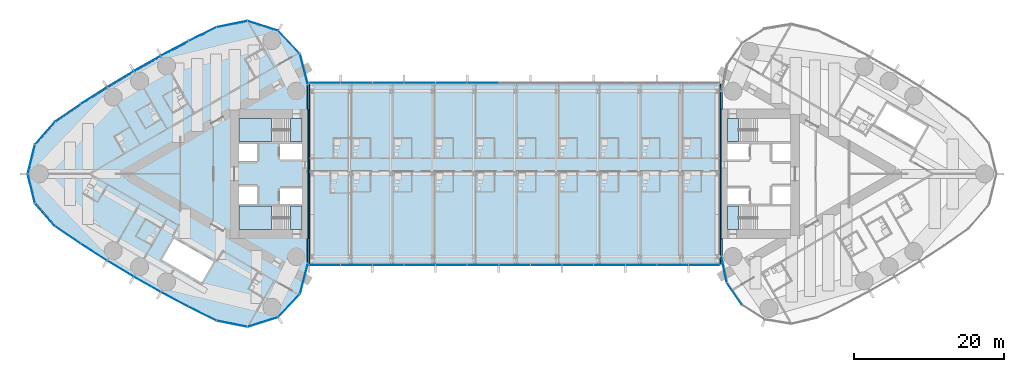
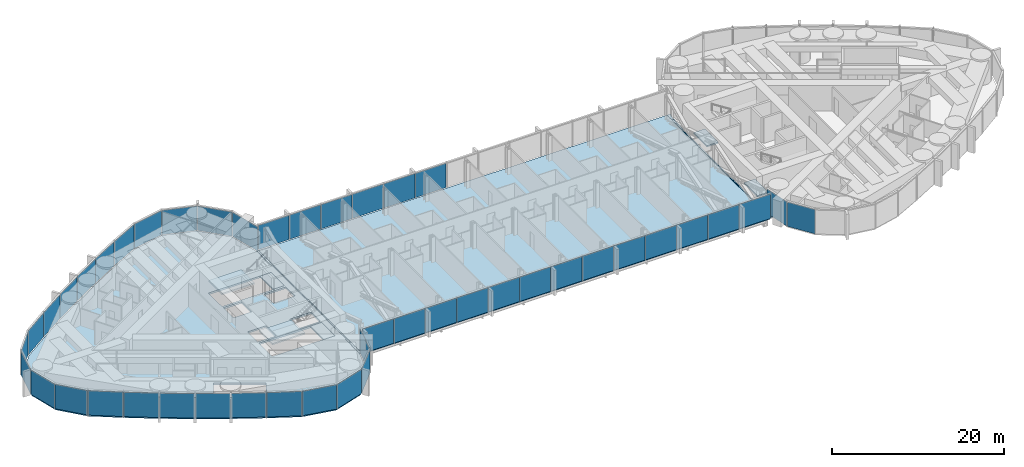
# One storey, part 12 of 23: 47 plates, 8 slabs, 8 elements without a shape of their own.
"""IFC4 building model written with IfcOpenShell, lengths in metres."""

from ifc_helpers import new_model, si_unit, direction, frame, origin, origin_2d, place, context, subcontext, project, spatial, polyline, rectangle, outline, extrude, material, layer, layer_set, type_object, element, aggregate, save


model = new_model("IFC4")

# Units and contexts
model_context = context("Model", 3, precision=1e-05, world=origin(), true_north=direction((0.0, 1.0)))
body_context = subcontext(model_context, "Body", "Model", "MODEL_VIEW")
ifc_project = project(units=[si_unit("LENGTHUNIT", "METRE"), si_unit("AREAUNIT", "SQUARE_METRE"), si_unit("VOLUMEUNIT", "CUBIC_METRE"), si_unit("PLANEANGLEUNIT", "RADIAN"), si_unit("MASSUNIT", "GRAM", prefix="KILO")], contexts=[model_context])

# Site, building, storey
site_placement = place(None, origin())
site = spatial("IfcSite", under=ifc_project, at=site_placement, CompositionType="ELEMENT")
building_placement = place(site_placement, origin())
building = spatial("IfcBuilding", under=site, at=building_placement, Name="Lancet Gate Hotel", CompositionType="ELEMENT")
storey_placement = place(building_placement, frame((0.0, 0.0, 222.5)))
storey = spatial("IfcBuildingStorey", under=building, at=storey_placement, Name="L59", CompositionType="ELEMENT", Elevation=222.5)

# Curtain wall, plates
ifc_material_1 = material(Name="Aluminium curtain wall", Category="aluminium")
curtain_wall_type_1 = type_object("IfcCurtainWallType", Name="Bridge block curtain wall", PredefinedType="USERDEFINED", material=ifc_material_1)
curtain_wall_1_placement = place(storey_placement, origin())
curtain_wall_1 = element("IfcCurtainWall", 1, at=curtain_wall_1_placement, inside=storey, type_object=curtain_wall_type_1, Name="Bridge block L59 curtain wall S", ObjectType="UNITISED CURTAIN WALL", PredefinedType="USERDEFINED")
ifc_material_2 = material(Name="Glass double glazed unit 8-16-6", Category="glass")
ifc_layer_1 = layer(ifc_material_2, 0.030029296875)
ifc_layer_set_1 = layer_set([ifc_layer_1], Name="Block vision panel")
plate_type_1 = type_object("IfcPlateType", Name="Block vision panel", PredefinedType="CURTAIN_PANEL", material=ifc_layer_set_1)
plate_1_placement = place(storey_placement, frame((-25.24609375, -12.1201171875, 0.0), z_axis=(0.0, 0.0, 1.0), x_axis=(1.0, 0.0, 0.0)))
plate_1 = element("IfcPlate", 2, at=plate_1_placement, type_object=plate_type_1, Name="Bridge block L59 curtain wall S panel 1", PredefinedType="CURTAIN_PANEL", context=body_context, shape_type="SweptSolid", body=[
    extrude(rectangle(XDim=4.142578125, YDim=0.030029296875, at=origin_2d()), origin(), (0.0, 0.0, 1.0), 3.449951171875),
])
plate_2_placement = place(storey_placement, frame((-21.03857421875, -12.1201171875, 0.0), z_axis=(0.0, 0.0, 1.0), x_axis=(1.0, 0.0, 0.0)))
plate_2 = element("IfcPlate", 3, at=plate_2_placement, type_object=plate_type_1, Name="Bridge block L59 curtain wall S panel 2", PredefinedType="CURTAIN_PANEL", context=body_context, shape_type="SweptSolid", body=[
    extrude(rectangle(XDim=4.142578125, YDim=0.030029296875, at=origin_2d()), origin(), (0.0, 0.0, 1.0), 3.449951171875),
])
plate_3_placement = place(storey_placement, frame((-16.830810546875, -12.1201171875, 0.0), z_axis=(0.0, 0.0, 1.0), x_axis=(1.0, 0.0, 0.0)))
plate_3 = element("IfcPlate", 4, at=plate_3_placement, type_object=plate_type_1, Name="Bridge block L59 curtain wall S panel 3", PredefinedType="CURTAIN_PANEL", context=body_context, shape_type="SweptSolid", body=[
    extrude(rectangle(XDim=4.142578125, YDim=0.030029296875, at=origin_2d()), origin(), (0.0, 0.0, 1.0), 3.449951171875),
])
plate_4_placement = place(storey_placement, frame((-12.623046875, -12.1201171875, 0.0), z_axis=(0.0, 0.0, 1.0), x_axis=(1.0, 0.0, 0.0)))
plate_4 = element("IfcPlate", 5, at=plate_4_placement, type_object=plate_type_1, Name="Bridge block L59 curtain wall S panel 4", PredefinedType="CURTAIN_PANEL", context=body_context, shape_type="SweptSolid", body=[
    extrude(rectangle(XDim=4.142578125, YDim=0.030029296875, at=origin_2d()), origin(), (0.0, 0.0, 1.0), 3.449951171875),
])
plate_5_placement = place(storey_placement, frame((-8.415283203125, -12.1201171875, 0.0), z_axis=(0.0, 0.0, 1.0), x_axis=(1.0, 0.0, 0.0)))
plate_5 = element("IfcPlate", 6, at=plate_5_placement, type_object=plate_type_1, Name="Bridge block L59 curtain wall S panel 5", PredefinedType="CURTAIN_PANEL", context=body_context, shape_type="SweptSolid", body=[
    extrude(rectangle(XDim=4.142578125, YDim=0.030029296875, at=origin_2d()), origin(), (0.0, 0.0, 1.0), 3.449951171875),
])
plate_6_placement = place(storey_placement, frame((-4.207763671875, -12.1201171875, 0.0), z_axis=(0.0, 0.0, 1.0), x_axis=(1.0, 0.0, 0.0)))
plate_6 = element("IfcPlate", 7, at=plate_6_placement, type_object=plate_type_1, Name="Bridge block L59 curtain wall S panel 6", PredefinedType="CURTAIN_PANEL", context=body_context, shape_type="SweptSolid", body=[
    extrude(rectangle(XDim=4.142578125, YDim=0.030029296875, at=origin_2d()), origin(), (0.0, 0.0, 1.0), 3.449951171875),
])
plate_7_placement = place(storey_placement, frame((0.0, -12.1201171875, 0.0), z_axis=(0.0, 0.0, 1.0), x_axis=(1.0, 0.0, 0.0)))
plate_7 = element("IfcPlate", 8, at=plate_7_placement, type_object=plate_type_1, Name="Bridge block L59 curtain wall S panel 7", PredefinedType="CURTAIN_PANEL", context=body_context, shape_type="SweptSolid", body=[
    extrude(rectangle(XDim=4.142578125, YDim=0.030029296875, at=origin_2d()), origin(), (0.0, 0.0, 1.0), 3.449951171875),
])
plate_8_placement = place(storey_placement, frame((4.207763671875, -12.1201171875, 0.0), z_axis=(0.0, 0.0, 1.0), x_axis=(1.0, 0.0, 0.0)))
plate_8 = element("IfcPlate", 9, at=plate_8_placement, type_object=plate_type_1, Name="Bridge block L59 curtain wall S panel 8", PredefinedType="CURTAIN_PANEL", context=body_context, shape_type="SweptSolid", body=[
    extrude(rectangle(XDim=4.142578125, YDim=0.030029296875, at=origin_2d()), origin(), (0.0, 0.0, 1.0), 3.449951171875),
])
plate_9_placement = place(storey_placement, frame((8.415283203125, -12.1201171875, 0.0), z_axis=(0.0, 0.0, 1.0), x_axis=(1.0, 0.0, 0.0)))
plate_9 = element("IfcPlate", 10, at=plate_9_placement, type_object=plate_type_1, Name="Bridge block L59 curtain wall S panel 9", PredefinedType="CURTAIN_PANEL", context=body_context, shape_type="SweptSolid", body=[
    extrude(rectangle(XDim=4.142578125, YDim=0.030029296875, at=origin_2d()), origin(), (0.0, 0.0, 1.0), 3.449951171875),
])
plate_10_placement = place(storey_placement, frame((12.623046875, -12.1201171875, 0.0), z_axis=(0.0, 0.0, 1.0), x_axis=(1.0, 0.0, 0.0)))
plate_10 = element("IfcPlate", 11, at=plate_10_placement, type_object=plate_type_1, Name="Bridge block L59 curtain wall S panel 10", PredefinedType="CURTAIN_PANEL", context=body_context, shape_type="SweptSolid", body=[
    extrude(rectangle(XDim=4.142578125, YDim=0.030029296875, at=origin_2d()), origin(), (0.0, 0.0, 1.0), 3.449951171875),
])
plate_11_placement = place(storey_placement, frame((16.830810546875, -12.1201171875, 0.0), z_axis=(0.0, 0.0, 1.0), x_axis=(1.0, 0.0, 0.0)))
plate_11 = element("IfcPlate", 12, at=plate_11_placement, type_object=plate_type_1, Name="Bridge block L59 curtain wall S panel 11", PredefinedType="CURTAIN_PANEL", context=body_context, shape_type="SweptSolid", body=[
    extrude(rectangle(XDim=4.142578125, YDim=0.030029296875, at=origin_2d()), origin(), (0.0, 0.0, 1.0), 3.449951171875),
])
plate_12_placement = place(storey_placement, frame((21.03857421875, -12.1201171875, 0.0), z_axis=(0.0, 0.0, 1.0), x_axis=(1.0, 0.0, 0.0)))
plate_12 = element("IfcPlate", 13, at=plate_12_placement, type_object=plate_type_1, Name="Bridge block L59 curtain wall S panel 12", PredefinedType="CURTAIN_PANEL", context=body_context, shape_type="SweptSolid", body=[
    extrude(rectangle(XDim=4.142578125, YDim=0.030029296875, at=origin_2d()), origin(), (0.0, 0.0, 1.0), 3.449951171875),
])
plate_13_placement = place(storey_placement, frame((25.24609375, -12.1201171875, 0.0), z_axis=(0.0, 0.0, 1.0), x_axis=(1.0, 0.0, 0.0)))
plate_13 = element("IfcPlate", 14, at=plate_13_placement, type_object=plate_type_1, Name="Bridge block L59 curtain wall S panel 13", PredefinedType="CURTAIN_PANEL", context=body_context, shape_type="SweptSolid", body=[
    extrude(rectangle(XDim=4.142578125, YDim=0.030029296875, at=origin_2d()), origin(), (0.0, 0.0, 1.0), 3.449951171875),
])
aggregate(curtain_wall_1, [plate_1, plate_2, plate_3, plate_4, plate_5, plate_6, plate_7, plate_8, plate_9, plate_10, plate_11, plate_12, plate_13])

curtain_wall_2_placement = place(storey_placement, origin())
curtain_wall_2 = element("IfcCurtainWall", 15, at=curtain_wall_2_placement, inside=storey, type_object=curtain_wall_type_1, Name="Bridge block L59 curtain wall N", ObjectType="UNITISED CURTAIN WALL", PredefinedType="USERDEFINED")
plate_14_placement = place(storey_placement, frame((-4.207763671875, 12.1201171875, 0.0), z_axis=(0.0, 0.0, 1.0), x_axis=(-1.0, 0.0, 0.0)))
plate_14 = element("IfcPlate", 16, at=plate_14_placement, type_object=plate_type_1, Name="Bridge block L59 curtain wall N panel 8", PredefinedType="CURTAIN_PANEL", context=body_context, shape_type="SweptSolid", body=[
    extrude(rectangle(XDim=4.142578125, YDim=0.030029296875, at=origin_2d()), origin(), (0.0, 0.0, 1.0), 3.449951171875),
])
plate_15_placement = place(storey_placement, frame((-8.415283203125, 12.1201171875, 0.0), z_axis=(0.0, 0.0, 1.0), x_axis=(-1.0, 0.0, 0.0)))
plate_15 = element("IfcPlate", 17, at=plate_15_placement, type_object=plate_type_1, Name="Bridge block L59 curtain wall N panel 9", PredefinedType="CURTAIN_PANEL", context=body_context, shape_type="SweptSolid", body=[
    extrude(rectangle(XDim=4.142578125, YDim=0.030029296875, at=origin_2d()), origin(), (0.0, 0.0, 1.0), 3.449951171875),
])
plate_16_placement = place(storey_placement, frame((-12.623046875, 12.1201171875, 0.0), z_axis=(0.0, 0.0, 1.0), x_axis=(-1.0, 0.0, 0.0)))
plate_16 = element("IfcPlate", 18, at=plate_16_placement, type_object=plate_type_1, Name="Bridge block L59 curtain wall N panel 10", PredefinedType="CURTAIN_PANEL", context=body_context, shape_type="SweptSolid", body=[
    extrude(rectangle(XDim=4.142578125, YDim=0.030029296875, at=origin_2d()), origin(), (0.0, 0.0, 1.0), 3.449951171875),
])
plate_17_placement = place(storey_placement, frame((-16.830810546875, 12.1201171875, 0.0), z_axis=(0.0, 0.0, 1.0), x_axis=(-1.0, 0.0, 0.0)))
plate_17 = element("IfcPlate", 19, at=plate_17_placement, type_object=plate_type_1, Name="Bridge block L59 curtain wall N panel 11", PredefinedType="CURTAIN_PANEL", context=body_context, shape_type="SweptSolid", body=[
    extrude(rectangle(XDim=4.142578125, YDim=0.030029296875, at=origin_2d()), origin(), (0.0, 0.0, 1.0), 3.449951171875),
])
plate_18_placement = place(storey_placement, frame((-21.03857421875, 12.1201171875, 0.0), z_axis=(0.0, 0.0, 1.0), x_axis=(-1.0, 0.0, 0.0)))
plate_18 = element("IfcPlate", 20, at=plate_18_placement, type_object=plate_type_1, Name="Bridge block L59 curtain wall N panel 12", PredefinedType="CURTAIN_PANEL", context=body_context, shape_type="SweptSolid", body=[
    extrude(rectangle(XDim=4.142578125, YDim=0.030029296875, at=origin_2d()), origin(), (0.0, 0.0, 1.0), 3.449951171875),
])
plate_19_placement = place(storey_placement, frame((-25.24609375, 12.1201171875, 0.0), z_axis=(0.0, 0.0, 1.0), x_axis=(-1.0, 0.0, 0.0)))
plate_19 = element("IfcPlate", 21, at=plate_19_placement, type_object=plate_type_1, Name="Bridge block L59 curtain wall N panel 13", PredefinedType="CURTAIN_PANEL", context=body_context, shape_type="SweptSolid", body=[
    extrude(rectangle(XDim=4.142578125, YDim=0.030029296875, at=origin_2d()), origin(), (0.0, 0.0, 1.0), 3.449951171875),
])
aggregate(curtain_wall_2, [plate_14, plate_15, plate_16, plate_17, plate_18, plate_19])

# Slabs
ifc_material_3 = material(Name="Concrete C40/50", Category="concrete")
ifc_layer_2 = layer(ifc_material_3, 0.199951171875)
ifc_layer_set_2 = layer_set([ifc_layer_2], Name="Composite floor slab 200")
slab_type_1 = type_object("IfcSlabType", Name="Composite floor slab 200", PredefinedType="FLOOR", material=ifc_layer_set_2)
slab_1_placement = place(storey_placement, frame((0.0, 0.0, -0.199951171875)))
element("IfcSlab", 22, at=slab_1_placement, inside=storey, type_object=slab_type_1, Name="Bridge block L59 floor slab", PredefinedType="FLOOR", context=body_context, shape_type="SweptSolid", body=[
    extrude(outline(polyline([(27.35009765625, -12.0), (27.35009765625, 12.0), (-27.35009765625, 12.0), (-27.35009765625, -12.0), (27.35009765625, -12.0)])), origin(), (0.0, 0.0, 1.0), 0.199951171875),
])
ifc_material_4 = material(Name="Concrete C50/60", Category="concrete")
ifc_layer_3 = layer(ifc_material_4, 0.25)
ifc_layer_set_3 = layer_set([ifc_layer_3], Name="Floor slab 250")
slab_type_2 = type_object("IfcSlabType", Name="Floor slab 250", PredefinedType="FLOOR", material=ifc_layer_set_3)
slab_2_placement = place(storey_placement, frame((0.0, 0.0, -0.25)))
element("IfcSlab", 23, at=slab_2_placement, inside=storey, type_object=slab_type_2, Name="T1 L59 floor slab", PredefinedType="FLOOR", context=body_context, shape_type="SweptSolid", body=[
    extrude(outline(polyline([(-27.5, 8.60009765625), (-27.6201171875, 8.60009765625), (-27.6201171875, 11.84619140625), (-28.668701171875, 15.912353515625), (-31.542236328125, 18.95263671875), (-35.52783203125, 20.22412109375), (-39.645751953125, 19.40673828125), (-43.344482421875, 17.565673828125), (-47.005126953125, 15.618896484375), (-50.61181640625, 13.574462890625), (-54.162353515625, 11.43359375), (-57.654052734375, 9.197998046875), (-61.072998046875, 6.876708984375), (-63.71240234375, 3.871337890625), (-64.66064453125, 0.0), (-63.71240234375, -3.871337890625), (-61.072998046875, -6.876708984375), (-57.654052734375, -9.197998046875), (-54.162353515625, -11.43359375), (-50.61181640625, -13.574462890625), (-47.005126953125, -15.618896484375), (-43.344482421875, -17.565673828125), (-39.645751953125, -19.40673828125), (-35.52783203125, -20.22412109375), (-31.542236328125, -18.95263671875), (-28.668701171875, -15.912353515625), (-27.6201171875, -11.84619140625), (-27.6201171875, -8.60009765625), (-27.5, -8.60009765625), (-27.5, -8.199951171875), (-27.5, 8.199951171875), (-27.5, 8.60009765625)]), holes=[polyline([(-36.699951171875, 7.39990234375), (-36.699951171875, 4.300048828125), (-28.300048828125, 4.300048828125), (-28.300048828125, 7.39990234375), (-36.699951171875, 7.39990234375)]), polyline([(-28.300048828125, 4.0), (-31.199951171875, 4.0), (-31.199951171875, 1.89990234375), (-28.300048828125, 1.89990234375), (-28.300048828125, 4.0)]), polyline([(-34.25, 4.0), (-36.699951171875, 4.0), (-36.699951171875, 1.64990234375), (-34.25, 1.64990234375), (-34.25, 4.0)]), polyline([(-36.699951171875, -1.64990234375), (-36.699951171875, -4.0), (-34.25, -4.0), (-34.25, -1.64990234375), (-36.699951171875, -1.64990234375)]), polyline([(-28.300048828125, -1.89990234375), (-31.199951171875, -1.89990234375), (-31.199951171875, -4.0), (-28.300048828125, -4.0), (-28.300048828125, -1.89990234375)]), polyline([(-28.300048828125, -4.300048828125), (-36.699951171875, -4.300048828125), (-36.699951171875, -7.39990234375), (-28.300048828125, -7.39990234375), (-28.300048828125, -4.300048828125)]), polyline([(-45.319091796875, -8.631103515625), (-46.9189453125, -11.402099609375), (-41.635986328125, -14.451904296875), (-40.035888671875, -11.680908203125), (-45.319091796875, -8.631103515625)])]), origin(), (0.0, 0.0, 1.0), 0.25),
])

# Plates
ifc_material_5 = material(Name="Aluminium chequer plate", Category="aluminium")
ifc_layer_4 = layer(ifc_material_5, 0.014892578125)
ifc_layer_set_4 = layer_set([ifc_layer_4], Name="Movement joint cover plate 15")
plate_type_2 = type_object("IfcPlateType", Name="Movement joint cover plate 15", PredefinedType="SHEET", material=ifc_layer_set_4)
plate_20_placement = place(storey_placement, frame((0.0, 0.0, -0.014892578125)))
element("IfcPlate", 24, at=plate_20_placement, inside=storey, type_object=plate_type_2, Name="Movement joint cover plate T1 L59", PredefinedType="SHEET", context=body_context, shape_type="SweptSolid", body=[
    extrude(outline(polyline([(-27.35009765625, 12.0), (-27.65966796875, 12.0), (-27.6201171875, 11.84619140625), (-27.6201171875, 8.60009765625), (-27.5, 8.60009765625), (-27.5, 8.199951171875), (-27.5, -8.199951171875), (-27.5, -8.60009765625), (-27.6201171875, -8.60009765625), (-27.6201171875, -11.84619140625), (-27.65966796875, -12.0), (-27.35009765625, -12.0), (-27.35009765625, 12.0)])), origin(), (0.0, 0.0, 1.0), 0.014892578125),
])
plate_21_placement = place(storey_placement, frame((0.0, 0.0, -0.014892578125)))
element("IfcPlate", 25, at=plate_21_placement, inside=storey, type_object=plate_type_2, Name="Movement joint cover plate T2 L59", PredefinedType="SHEET", context=body_context, shape_type="SweptSolid", body=[
    extrude(outline(polyline([(27.35009765625, -12.0), (27.836669921875, -12.0), (27.6201171875, -10.93603515625), (27.6201171875, -8.60009765625), (27.5, -8.60009765625), (27.5, -8.199951171875), (27.5, 8.199951171875), (27.5, 8.60009765625), (27.6201171875, 8.60009765625), (27.6201171875, 10.93603515625), (27.836669921875, 12.0), (27.35009765625, 12.0), (27.35009765625, -12.0)])), origin(), (0.0, 0.0, 1.0), 0.014892578125),
])

# Stair, slabs
ifc_material_6 = material(Name="Exit stair 20 risers 1500")
stair_type = type_object("IfcStairType", Name="Exit stair 20 risers 1500", PredefinedType="HALF_TURN_STAIR", material=ifc_material_6)
stair_1_placement = place(storey_placement, origin())
stair_1 = element("IfcStair", 26, at=stair_1_placement, inside=storey, type_object=stair_type, Name="T1 stair 1 L59", PredefinedType="HALF_TURN_STAIR")
ifc_material_7 = material(Name="Concrete C40/50", Category="concrete")
ifc_layer_5 = layer(ifc_material_7, 0.199951171875)
ifc_layer_set_5 = layer_set([ifc_layer_5], Name="Stair landing 200")
slab_type_3 = type_object("IfcSlabType", Name="Stair landing 200", PredefinedType="LANDING", material=ifc_layer_set_5)
slab_3_placement = place(storey_placement, frame((0.0, 0.0, -0.199951171875)))
slab_3 = element("IfcSlab", 27, at=slab_3_placement, type_object=slab_type_3, Name="ST1 landing 1", PredefinedType="LANDING", context=body_context, shape_type="SweptSolid", body=[
    extrude(outline(polyline([(-28.300048828125, 7.39990234375), (-29.800048828125, 7.39990234375), (-29.800048828125, 4.300048828125), (-28.300048828125, 4.300048828125), (-28.300048828125, 7.39990234375)])), origin(), (0.0, 0.0, 1.0), 0.199951171875),
])
slab_4_placement = place(storey_placement, frame((0.0, 0.0, 1.60009765625)))
slab_4 = element("IfcSlab", 28, at=slab_4_placement, type_object=slab_type_3, Name="ST1 landing 2", PredefinedType="LANDING", context=body_context, shape_type="SweptSolid", body=[
    extrude(outline(polyline([(-32.320068359375, 7.39990234375), (-36.699951171875, 7.39990234375), (-36.699951171875, 4.300048828125), (-32.320068359375, 4.300048828125), (-32.320068359375, 7.39990234375)])), origin(), (0.0, 0.0, 1.0), 0.199951171875),
])
aggregate(stair_1, [slab_3, slab_4])

stair_2_placement = place(storey_placement, origin())
stair_2 = element("IfcStair", 29, at=stair_2_placement, inside=storey, type_object=stair_type, Name="T1 stair 2 L59", PredefinedType="HALF_TURN_STAIR")
slab_5_placement = place(storey_placement, frame((0.0, 0.0, -0.199951171875)))
slab_5 = element("IfcSlab", 30, at=slab_5_placement, type_object=slab_type_3, Name="ST2 landing 1", PredefinedType="LANDING", context=body_context, shape_type="SweptSolid", body=[
    extrude(outline(polyline([(-28.300048828125, -4.300048828125), (-29.800048828125, -4.300048828125), (-29.800048828125, -7.39990234375), (-28.300048828125, -7.39990234375), (-28.300048828125, -4.300048828125)])), origin(), (0.0, 0.0, 1.0), 0.199951171875),
])
slab_6_placement = place(storey_placement, frame((0.0, 0.0, 1.60009765625)))
slab_6 = element("IfcSlab", 31, at=slab_6_placement, type_object=slab_type_3, Name="ST2 landing 2", PredefinedType="LANDING", context=body_context, shape_type="SweptSolid", body=[
    extrude(outline(polyline([(-32.320068359375, -4.300048828125), (-36.699951171875, -4.300048828125), (-36.699951171875, -7.39990234375), (-32.320068359375, -7.39990234375), (-32.320068359375, -4.300048828125)])), origin(), (0.0, 0.0, 1.0), 0.199951171875),
])
aggregate(stair_2, [slab_5, slab_6])

# Stair, slab
stair_3_placement = place(storey_placement, origin())
stair_3 = element("IfcStair", 32, at=stair_3_placement, inside=storey, type_object=stair_type, Name="T2 stair 1 L59", PredefinedType="HALF_TURN_STAIR")
slab_7_placement = place(storey_placement, frame((0.0, 0.0, -0.199951171875)))
slab_7 = element("IfcSlab", 33, at=slab_7_placement, type_object=slab_type_3, Name="ST3 landing 1", PredefinedType="LANDING", context=body_context, shape_type="SweptSolid", body=[
    extrude(outline(polyline([(28.300048828125, -7.39990234375), (29.800048828125, -7.39990234375), (29.800048828125, -4.300048828125), (28.300048828125, -4.300048828125), (28.300048828125, -7.39990234375)])), origin(), (0.0, 0.0, 1.0), 0.199951171875),
])
aggregate(stair_3, [slab_7])

stair_4_placement = place(storey_placement, origin())
stair_4 = element("IfcStair", 34, at=stair_4_placement, inside=storey, type_object=stair_type, Name="T2 stair 2 L59", PredefinedType="HALF_TURN_STAIR")
slab_8_placement = place(storey_placement, frame((0.0, 0.0, -0.199951171875)))
slab_8 = element("IfcSlab", 35, at=slab_8_placement, type_object=slab_type_3, Name="ST4 landing 1", PredefinedType="LANDING", context=body_context, shape_type="SweptSolid", body=[
    extrude(outline(polyline([(28.300048828125, 4.300048828125), (29.800048828125, 4.300048828125), (29.800048828125, 7.39990234375), (28.300048828125, 7.39990234375), (28.300048828125, 4.300048828125)])), origin(), (0.0, 0.0, 1.0), 0.199951171875),
])
aggregate(stair_4, [slab_8])

# Curtain wall, plates
ifc_material_8 = material(Name="Aluminium curtain wall", Category="aluminium")
curtain_wall_type_2 = type_object("IfcCurtainWallType", Name="Tower unitised curtain wall", PredefinedType="USERDEFINED", material=ifc_material_8)
curtain_wall_3_placement = place(storey_placement, origin())
curtain_wall_3 = element("IfcCurtainWall", 36, at=curtain_wall_3_placement, inside=storey, type_object=curtain_wall_type_2, Name="T1 L59 curtain wall 1", ObjectType="UNITISED CURTAIN WALL", PredefinedType="USERDEFINED")
ifc_material_9 = material(Name="Glass double glazed unit 8-16-6", Category="glass")
ifc_layer_6 = layer(ifc_material_9, 0.030029296875)
ifc_layer_set_6 = layer_set([ifc_layer_6], Name="Vision panel double glazed")
plate_type_3 = type_object("IfcPlateType", Name="Vision panel double glazed", PredefinedType="CURTAIN_PANEL", material=ifc_layer_set_6)
plate_22_placement = place(storey_placement, frame((-28.030029296875, 13.9169921875, 0.0), z_axis=(0.0, 0.0, 1.0), x_axis=(-0.249725827997, 0.968316586056, 0.0)))
plate_22 = element("IfcPlate", 37, at=plate_22_placement, type_object=plate_type_3, Name="T1 L59 curtain wall 1 panel 1", PredefinedType="CURTAIN_PANEL", context=body_context, shape_type="SweptSolid", body=[
    extrude(rectangle(XDim=4.180419921875, YDim=0.030029296875, at=origin_2d()), origin(), (0.0, 0.0, 1.0), 3.449951171875),
])
plate_23_placement = place(storey_placement, frame((-30.018310546875, 17.514892578125, 0.0), z_axis=(0.0, 0.0, 1.0), x_axis=(-0.686882887577, 0.726768118972, 0.0)))
plate_23 = element("IfcPlate", 38, at=plate_23_placement, type_object=plate_type_3, Name="T1 L59 curtain wall 1 panel 2", PredefinedType="CURTAIN_PANEL", context=body_context, shape_type="SweptSolid", body=[
    extrude(rectangle(XDim=4.180419921875, YDim=0.030029296875, at=origin_2d()), origin(), (0.0, 0.0, 1.0), 3.449951171875),
])
plate_24_placement = place(storey_placement, frame((-33.49853515625, 19.702880859375, 0.0), z_axis=(0.0, 0.0, 1.0), x_axis=(-0.952695666833, 0.303925922549, 0.0)))
plate_24 = element("IfcPlate", 39, at=plate_24_placement, type_object=plate_type_3, Name="T1 L59 curtain wall 1 panel 3", PredefinedType="CURTAIN_PANEL", context=body_context, shape_type="SweptSolid", body=[
    extrude(rectangle(XDim=4.180419921875, YDim=0.030029296875, at=origin_2d()), origin(), (0.0, 0.0, 1.0), 3.449951171875),
])
plate_25_placement = place(storey_placement, frame((-37.602783203125, 19.9345703125, 0.0), z_axis=(0.0, 0.0, 1.0), x_axis=(-0.980856647866, -0.194731189942, 0.0)))
plate_25 = element("IfcPlate", 40, at=plate_25_placement, type_object=plate_type_3, Name="T1 L59 curtain wall 1 panel 4", PredefinedType="CURTAIN_PANEL", context=body_context, shape_type="SweptSolid", body=[
    extrude(rectangle(XDim=4.180419921875, YDim=0.030029296875, at=origin_2d()), origin(), (0.0, 0.0, 1.0), 3.449951171875),
])
plate_26_placement = place(storey_placement, frame((-41.5419921875, 18.5966796875, 0.0), z_axis=(0.0, 0.0, 1.0), x_axis=(-0.895234030262, -0.445596264639, 0.0)))
plate_26 = element("IfcPlate", 41, at=plate_26_placement, type_object=plate_type_3, Name="T1 L59 curtain wall 1 panel 5", PredefinedType="CURTAIN_PANEL", context=body_context, shape_type="SweptSolid", body=[
    extrude(rectangle(XDim=4.084228515625, YDim=0.030029296875, at=origin_2d()), origin(), (0.0, 0.0, 1.0), 3.449951171875),
])
plate_27_placement = place(storey_placement, frame((-45.23095703125, 16.6982421875, 0.0), z_axis=(0.0, 0.0, 1.0), x_axis=(-0.882915941615, -0.469531085277, 0.0)))
plate_27 = element("IfcPlate", 42, at=plate_27_placement, type_object=plate_type_3, Name="T1 L59 curtain wall 1 panel 6", PredefinedType="CURTAIN_PANEL", context=body_context, shape_type="SweptSolid", body=[
    extrude(rectangle(XDim=4.084228515625, YDim=0.030029296875, at=origin_2d()), origin(), (0.0, 0.0, 1.0), 3.449951171875),
])
plate_28_placement = place(storey_placement, frame((-48.86767578125, 14.701171875, 0.0), z_axis=(0.0, 0.0, 1.0), x_axis=(-0.869958082404, -0.493125678565, 0.0)))
plate_28 = element("IfcPlate", 43, at=plate_28_placement, type_object=plate_type_3, Name="T1 L59 curtain wall 1 panel 7", PredefinedType="CURTAIN_PANEL", context=body_context, shape_type="SweptSolid", body=[
    extrude(rectangle(XDim=4.084228515625, YDim=0.030029296875, at=origin_2d()), origin(), (0.0, 0.0, 1.0), 3.449951171875),
])
plate_29_placement = place(storey_placement, frame((-52.44921875, 12.606689453125, 0.0), z_axis=(0.0, 0.0, 1.0), x_axis=(-0.85636984205, -0.516362947574, 0.0)))
plate_29 = element("IfcPlate", 44, at=plate_29_placement, type_object=plate_type_3, Name="T1 L59 curtain wall 1 panel 8", PredefinedType="CURTAIN_PANEL", context=body_context, shape_type="SweptSolid", body=[
    extrude(rectangle(XDim=4.084228515625, YDim=0.030029296875, at=origin_2d()), origin(), (0.0, 0.0, 1.0), 3.449951171875),
])
plate_30_placement = place(storey_placement, frame((-55.972900390625, 10.416748046875, 0.0), z_axis=(0.0, 0.0, 1.0), x_axis=(-0.842161066725, -0.539226054352, 0.0)))
plate_30 = element("IfcPlate", 45, at=plate_30_placement, type_object=plate_type_3, Name="T1 L59 curtain wall 1 panel 9", PredefinedType="CURTAIN_PANEL", context=body_context, shape_type="SweptSolid", body=[
    extrude(rectangle(XDim=4.084228515625, YDim=0.030029296875, at=origin_2d()), origin(), (0.0, 0.0, 1.0), 3.449951171875),
])
plate_31_placement = place(storey_placement, frame((-59.4365234375, 8.1328125, 0.0), z_axis=(0.0, 0.0, 1.0), x_axis=(-0.827342052281, -0.561698432014, 0.0)))
plate_31 = element("IfcPlate", 46, at=plate_31_placement, type_object=plate_type_3, Name="T1 L59 curtain wall 1 panel 10", PredefinedType="CURTAIN_PANEL", context=body_context, shape_type="SweptSolid", body=[
    extrude(rectangle(XDim=4.084228515625, YDim=0.030029296875, at=origin_2d()), origin(), (0.0, 0.0, 1.0), 3.449951171875),
])
plate_32_placement = place(storey_placement, frame((-62.487548828125, 5.447998046875, 0.0), z_axis=(0.0, 0.0, 1.0), x_axis=(-0.659891635916, -0.751360784742, 0.0)))
plate_32 = element("IfcPlate", 47, at=plate_32_placement, type_object=plate_type_3, Name="T1 L59 curtain wall 1 panel 11", PredefinedType="CURTAIN_PANEL", context=body_context, shape_type="SweptSolid", body=[
    extrude(rectangle(XDim=3.979736328125, YDim=0.030029296875, at=origin_2d()), origin(), (0.0, 0.0, 1.0), 3.449951171875),
])
plate_33_placement = place(storey_placement, frame((-64.30322265625, 1.96435546875, 0.0), z_axis=(0.0, 0.0, 1.0), x_axis=(-0.237921018621, -0.971284504612, 0.0)))
plate_33 = element("IfcPlate", 48, at=plate_33_placement, type_object=plate_type_3, Name="T1 L59 curtain wall 1 panel 12", PredefinedType="CURTAIN_PANEL", context=body_context, shape_type="SweptSolid", body=[
    extrude(rectangle(XDim=3.979736328125, YDim=0.030029296875, at=origin_2d()), origin(), (0.0, 0.0, 1.0), 3.449951171875),
])
plate_34_placement = place(storey_placement, frame((-64.30322265625, -1.96435546875, 0.0), z_axis=(0.0, 0.0, 1.0), x_axis=(0.237921018621, -0.971284504612, 0.0)))
plate_34 = element("IfcPlate", 49, at=plate_34_placement, type_object=plate_type_3, Name="T1 L59 curtain wall 1 panel 13", PredefinedType="CURTAIN_PANEL", context=body_context, shape_type="SweptSolid", body=[
    extrude(rectangle(XDim=3.979736328125, YDim=0.030029296875, at=origin_2d()), origin(), (0.0, 0.0, 1.0), 3.449951171875),
])
plate_35_placement = place(storey_placement, frame((-62.487548828125, -5.447998046875, 0.0), z_axis=(0.0, 0.0, 1.0), x_axis=(0.659891635916, -0.751360784742, 0.0)))
plate_35 = element("IfcPlate", 50, at=plate_35_placement, type_object=plate_type_3, Name="T1 L59 curtain wall 1 panel 14", PredefinedType="CURTAIN_PANEL", context=body_context, shape_type="SweptSolid", body=[
    extrude(rectangle(XDim=3.979736328125, YDim=0.030029296875, at=origin_2d()), origin(), (0.0, 0.0, 1.0), 3.449951171875),
])
plate_36_placement = place(storey_placement, frame((-59.4365234375, -8.1328125, 0.0), z_axis=(0.0, 0.0, 1.0), x_axis=(0.827342052281, -0.561698432014, 0.0)))
plate_36 = element("IfcPlate", 51, at=plate_36_placement, type_object=plate_type_3, Name="T1 L59 curtain wall 1 panel 15", PredefinedType="CURTAIN_PANEL", context=body_context, shape_type="SweptSolid", body=[
    extrude(rectangle(XDim=4.084228515625, YDim=0.030029296875, at=origin_2d()), origin(), (0.0, 0.0, 1.0), 3.449951171875),
])
plate_37_placement = place(storey_placement, frame((-55.972900390625, -10.416748046875, 0.0), z_axis=(0.0, 0.0, 1.0), x_axis=(0.842161066725, -0.539226054352, 0.0)))
plate_37 = element("IfcPlate", 52, at=plate_37_placement, type_object=plate_type_3, Name="T1 L59 curtain wall 1 panel 16", PredefinedType="CURTAIN_PANEL", context=body_context, shape_type="SweptSolid", body=[
    extrude(rectangle(XDim=4.084228515625, YDim=0.030029296875, at=origin_2d()), origin(), (0.0, 0.0, 1.0), 3.449951171875),
])
plate_38_placement = place(storey_placement, frame((-52.44921875, -12.606689453125, 0.0), z_axis=(0.0, 0.0, 1.0), x_axis=(0.85636984205, -0.516362947574, 0.0)))
plate_38 = element("IfcPlate", 53, at=plate_38_placement, type_object=plate_type_3, Name="T1 L59 curtain wall 1 panel 17", PredefinedType="CURTAIN_PANEL", context=body_context, shape_type="SweptSolid", body=[
    extrude(rectangle(XDim=4.084228515625, YDim=0.030029296875, at=origin_2d()), origin(), (0.0, 0.0, 1.0), 3.449951171875),
])
plate_39_placement = place(storey_placement, frame((-48.86767578125, -14.701171875, 0.0), z_axis=(0.0, 0.0, 1.0), x_axis=(0.869958082404, -0.493125678565, 0.0)))
plate_39 = element("IfcPlate", 54, at=plate_39_placement, type_object=plate_type_3, Name="T1 L59 curtain wall 1 panel 18", PredefinedType="CURTAIN_PANEL", context=body_context, shape_type="SweptSolid", body=[
    extrude(rectangle(XDim=4.084228515625, YDim=0.030029296875, at=origin_2d()), origin(), (0.0, 0.0, 1.0), 3.449951171875),
])
plate_40_placement = place(storey_placement, frame((-45.23095703125, -16.6982421875, 0.0), z_axis=(0.0, 0.0, 1.0), x_axis=(0.882915941615, -0.469531085277, 0.0)))
plate_40 = element("IfcPlate", 55, at=plate_40_placement, type_object=plate_type_3, Name="T1 L59 curtain wall 1 panel 19", PredefinedType="CURTAIN_PANEL", context=body_context, shape_type="SweptSolid", body=[
    extrude(rectangle(XDim=4.084228515625, YDim=0.030029296875, at=origin_2d()), origin(), (0.0, 0.0, 1.0), 3.449951171875),
])
plate_41_placement = place(storey_placement, frame((-41.5419921875, -18.5966796875, 0.0), z_axis=(0.0, 0.0, 1.0), x_axis=(0.895234030262, -0.445596264639, 0.0)))
plate_41 = element("IfcPlate", 56, at=plate_41_placement, type_object=plate_type_3, Name="T1 L59 curtain wall 1 panel 20", PredefinedType="CURTAIN_PANEL", context=body_context, shape_type="SweptSolid", body=[
    extrude(rectangle(XDim=4.084228515625, YDim=0.030029296875, at=origin_2d()), origin(), (0.0, 0.0, 1.0), 3.449951171875),
])
plate_42_placement = place(storey_placement, frame((-37.602783203125, -19.9345703125, 0.0), z_axis=(0.0, 0.0, 1.0), x_axis=(0.980856647866, -0.194731189942, 0.0)))
plate_42 = element("IfcPlate", 57, at=plate_42_placement, type_object=plate_type_3, Name="T1 L59 curtain wall 1 panel 21", PredefinedType="CURTAIN_PANEL", context=body_context, shape_type="SweptSolid", body=[
    extrude(rectangle(XDim=4.180419921875, YDim=0.030029296875, at=origin_2d()), origin(), (0.0, 0.0, 1.0), 3.449951171875),
])
plate_43_placement = place(storey_placement, frame((-33.49853515625, -19.702880859375, 0.0), z_axis=(0.0, 0.0, 1.0), x_axis=(0.952695666833, 0.303925922549, 0.0)))
plate_43 = element("IfcPlate", 58, at=plate_43_placement, type_object=plate_type_3, Name="T1 L59 curtain wall 1 panel 22", PredefinedType="CURTAIN_PANEL", context=body_context, shape_type="SweptSolid", body=[
    extrude(rectangle(XDim=4.180419921875, YDim=0.030029296875, at=origin_2d()), origin(), (0.0, 0.0, 1.0), 3.449951171875),
])
plate_44_placement = place(storey_placement, frame((-30.018310546875, -17.514892578125, 0.0), z_axis=(0.0, 0.0, 1.0), x_axis=(0.686882887577, 0.726768118972, 0.0)))
plate_44 = element("IfcPlate", 59, at=plate_44_placement, type_object=plate_type_3, Name="T1 L59 curtain wall 1 panel 23", PredefinedType="CURTAIN_PANEL", context=body_context, shape_type="SweptSolid", body=[
    extrude(rectangle(XDim=4.180419921875, YDim=0.030029296875, at=origin_2d()), origin(), (0.0, 0.0, 1.0), 3.449951171875),
])
plate_45_placement = place(storey_placement, frame((-28.030029296875, -13.9169921875, 0.0), z_axis=(0.0, 0.0, 1.0), x_axis=(0.249725827997, 0.968316586056, 0.0)))
plate_45 = element("IfcPlate", 60, at=plate_45_placement, type_object=plate_type_3, Name="T1 L59 curtain wall 1 panel 24", PredefinedType="CURTAIN_PANEL", context=body_context, shape_type="SweptSolid", body=[
    extrude(rectangle(XDim=4.180419921875, YDim=0.030029296875, at=origin_2d()), origin(), (0.0, 0.0, 1.0), 3.449951171875),
])
aggregate(curtain_wall_3, [plate_22, plate_23, plate_24, plate_25, plate_26, plate_27, plate_28, plate_29, plate_30, plate_31, plate_32, plate_33, plate_34, plate_35, plate_36, plate_37, plate_38, plate_39, plate_40, plate_41, plate_42, plate_43, plate_44, plate_45])

curtain_wall_4_placement = place(storey_placement, origin())
curtain_wall_4 = element("IfcCurtainWall", 61, at=curtain_wall_4_placement, inside=storey, type_object=curtain_wall_type_2, Name="T2 L59 curtain wall 1", ObjectType="UNITISED CURTAIN WALL", PredefinedType="USERDEFINED")
plate_46_placement = place(storey_placement, frame((27.8583984375, -12.707763671875, 0.0), z_axis=(0.0, 0.0, 1.0), x_axis=(0.199533486841, -0.979891008036, 0.0)))
plate_46 = element("IfcPlate", 62, at=plate_46_placement, type_object=plate_type_3, Name="T2 L59 curtain wall 1 panel 1", PredefinedType="CURTAIN_PANEL", context=body_context, shape_type="SweptSolid", body=[
    extrude(rectangle(XDim=3.526611328125, YDim=0.030029296875, at=origin_2d()), origin(), (0.0, 0.0, 1.0), 3.449951171875),
])
plate_47_placement = place(storey_placement, frame((29.234619140625, -15.947021484375, 0.0), z_axis=(0.0, 0.0, 1.0), x_axis=(0.566823864908, -0.823839005007, 0.0)))
plate_47 = element("IfcPlate", 63, at=plate_47_placement, type_object=plate_type_3, Name="T2 L59 curtain wall 1 panel 2", PredefinedType="CURTAIN_PANEL", context=body_context, shape_type="SweptSolid", body=[
    extrude(rectangle(XDim=3.526611328125, YDim=0.030029296875, at=origin_2d()), origin(), (0.0, 0.0, 1.0), 3.449951171875),
])
aggregate(curtain_wall_4, [plate_46, plate_47])

save(model, "model.ifc")
